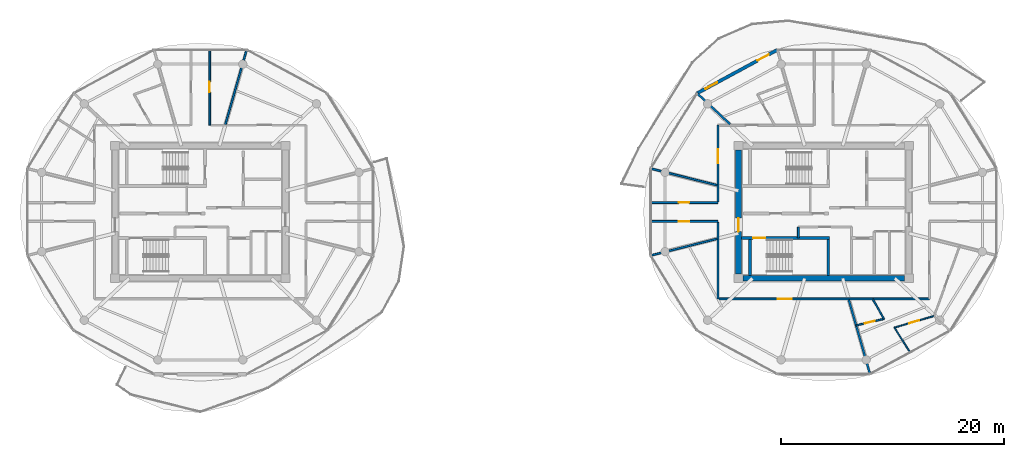
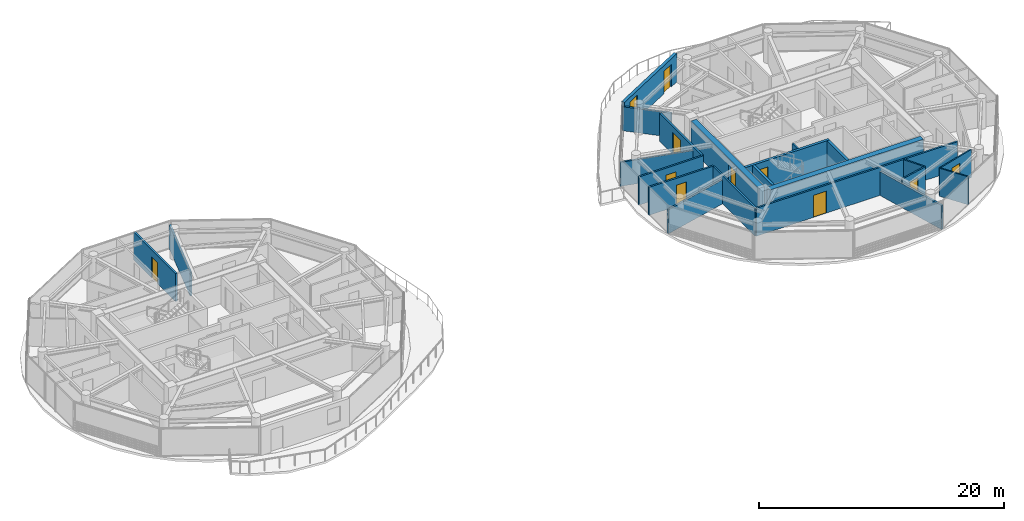
# One storey, part 11 of 19: 22 walls, 10 doors, 1 window, 11 openings.
"""IFC4 building model written with IfcOpenShell, lengths in metres."""

from ifc_helpers import new_model, si_unit, direction, frame, frame_2d, origin, place, context, subcontext, project, spatial, rectangle, extrude, source, transform, mapped, material, layer, layer_set, type_object, type_shapes, element, fill, save


model = new_model("IFC4")

# Units and contexts
model_context = context("Model", 3, precision=1e-05, world=origin(), true_north=direction((0.0, 1.0)))
body_context = subcontext(model_context, "Body", "Model", "MODEL_VIEW")
ifc_project = project(units=[si_unit("LENGTHUNIT", "METRE"), si_unit("AREAUNIT", "SQUARE_METRE"), si_unit("VOLUMEUNIT", "CUBIC_METRE"), si_unit("PLANEANGLEUNIT", "RADIAN"), si_unit("MASSUNIT", "GRAM", prefix="KILO")], contexts=[model_context])

# Site, building, storey
site_placement = place(None, origin())
site = spatial("IfcSite", under=ifc_project, at=site_placement, CompositionType="ELEMENT")
building_placement = place(site_placement, origin())
building = spatial("IfcBuilding", under=site, at=building_placement, Name="Norrkilde Senior Care Towers", CompositionType="ELEMENT")
storey_placement = place(building_placement, frame((0.0, 0.0, 238.300048828125)))
storey = spatial("IfcBuildingStorey", under=building, at=storey_placement, Name="L74", CompositionType="ELEMENT", Elevation=238.300048828125)

# Wall
ifc_material_1 = material(Name="Concrete C50/60", Category="concrete")
ifc_layer_1 = layer(ifc_material_1, 0.52001953125)
ifc_layer_set_1 = layer_set([ifc_layer_1], Name="Concrete C50/60")
wall_type_1 = type_object("IfcWallType", Name="Core Shear Wall Z4 520", PredefinedType="SHEAR", material=ifc_layer_set_1)
shared_shape_1 = source(origin(), body_context, "Body", "SweptSolid", [
    extrude(rectangle(XDim=14.5, YDim=0.52001953125, at=frame_2d((7.25, 0.0))), origin(), (0.0, 0.0, 1.0), 2.81005859375),
])
wall_1_placement = place(storey_placement, frame((35.25, -5.949951171875, 0.0), z_axis=(0.0, 0.0, 1.0), x_axis=(-1.0, 0.0, 0.0)))
element("IfcWall", 1, at=wall_1_placement, inside=storey, type_object=wall_type_1, Name="L74 Core E South Shear Wall", PredefinedType="SHEAR", context=body_context, shape_type="MappedRepresentation", body=[
    mapped(shared_shape_1, transform((0.0, 0.0, 0.0), x_axis=(1.0, 0.0, 0.0), y_axis=(0.0, 1.0, 0.0), z_axis=(0.0, 0.0, 1.0), scale=1.0)),
])

# Wall, opening, door
shared_shape_2 = source(origin(), body_context, "Body", "SweptSolid", [
    extrude(rectangle(XDim=11.10009765625, YDim=0.52001953125, at=frame_2d((5.550048828125, 0.0))), origin(), (0.0, 0.0, 1.0), 2.81005859375),
])
type_shapes(wall_type_1, [shared_shape_1, shared_shape_2])
wall_2_placement = place(storey_placement, frame((20.35009765625, -5.550048828125, 0.0), z_axis=(0.0, 0.0, 1.0), x_axis=(0.0, 1.0, 0.0)))
wall_2 = element("IfcWall", 2, at=wall_2_placement, inside=storey, type_object=wall_type_1, Name="L74 Core E West Shear Wall", PredefinedType="SHEAR", context=body_context, shape_type="MappedRepresentation", body=[
    mapped(shared_shape_2, transform((0.0, 0.0, 0.0), x_axis=(1.0, 0.0, 0.0), y_axis=(0.0, 1.0, 0.0), z_axis=(0.0, 0.0, 1.0), scale=1.0)),
])
opening_1_placement = place(wall_2_placement, frame((3.800048828125, 0.0, 0.0)))
opening_1 = element("IfcOpeningElement", 3, at=opening_1_placement, cuts=wall_2, Name="Opening D-04", PredefinedType="OPENING", context=body_context, shape_type="SweptSolid", body=[
    extrude(rectangle(XDim=1.199951171875, YDim=2.14990234375, at=frame_2d((0.60009765625, 1.074951171875))), frame((0.0, 0.27001953125, 0.0), z_axis=(0.0, -1.0, 0.0), x_axis=(1.0, 0.0, 0.0)), (0.0, 0.0, 1.0), 0.5400390625),
])
ifc_material_2 = material(Name="Galvanised Painted Steel", Category="steel")
door_type_1 = type_object("IfcDoorType", Name="Firefighting Lobby Fire Door 1200x2150", OperationType="NOTDEFINED", PredefinedType="DOOR", material=ifc_material_2)
shared_shape_3 = source(origin(), body_context, "Body", "SweptSolid", [
    extrude(rectangle(XDim=1.199951171875, YDim=2.14990234375, at=frame_2d((0.60009765625, 1.074951171875))), frame((0.0, 0.02490234375, 0.0), z_axis=(0.0, -1.0, 0.0), x_axis=(1.0, 0.0, 0.0)), (0.0, 0.0, 1.0), 0.050048828125),
])
type_shapes(door_type_1, [shared_shape_3])
door_1_placement = place(opening_1_placement, frame((1.199951171875, 0.0, 0.0), z_axis=(0.0, 0.0, 1.0), x_axis=(-1.0, 0.0, 0.0)))
door_1 = element("IfcDoor", 4, at=door_1_placement, inside=storey, type_object=door_type_1, Name="L74 Core E West Portal Door", OperationType="SINGLE_SWING_LEFT", OverallHeight=2.14990234375, OverallWidth=1.199951171875, PredefinedType="DOOR", context=body_context, shape_type="MappedRepresentation", body=[
    mapped(shared_shape_3, transform((0.0, 0.0, 0.0), x_axis=(1.0, 0.0, 0.0), y_axis=(0.0, 1.0, 0.0), z_axis=(0.0, 0.0, 1.0), scale=1.0)),
])
fill(opening_1, door_1)

# Wall, openings, door, window
ifc_material_3 = material(Name="Precast concrete C45/55", Category="concrete")
ifc_layer_2 = layer(ifc_material_3, 0.2900390625)
ifc_layer_set_2 = layer_set([ifc_layer_2], Name="Precast concrete C45/55")
wall_type_2 = type_object("IfcWallType", Name="Winter Garden Facade Wall 290", PredefinedType="SOLIDWALL", material=ifc_layer_set_2)
shared_shape_4 = source(origin(), body_context, "Body", "SweptSolid", [
    extrude(rectangle(XDim=8.197265625, YDim=0.2900390625, at=frame_2d((4.0986328125, 0.0))), origin(), (0.0, 0.0, 1.0), 2.81005859375),
])
type_shapes(wall_type_2, [shared_shape_4])
wall_3_placement = place(storey_placement, frame((16.629638671875, 10.6630859375, 0.0), z_axis=(0.0, 0.0, 1.0), x_axis=(0.879369910001, 0.476139224791, 0.0)))
wall_3 = element("IfcWall", 5, at=wall_3_placement, inside=storey, type_object=wall_type_2, Name="L74 Drum E Balcony Access Wall 03", PredefinedType="SOLIDWALL", context=body_context, shape_type="MappedRepresentation", body=[
    mapped(shared_shape_4, transform((0.0, 0.0, 0.0), x_axis=(1.0, 0.0, 0.0), y_axis=(0.0, 1.0, 0.0), z_axis=(0.0, 0.0, 1.0), scale=1.0)),
])
opening_2_placement = place(wall_3_placement, frame((6.179931640625, 0.0, 0.0)))
opening_2 = element("IfcOpeningElement", 6, at=opening_2_placement, cuts=wall_3, Name="Opening D-09", PredefinedType="OPENING", context=body_context, shape_type="SweptSolid", body=[
    extrude(rectangle(XDim=1.14990234375, YDim=2.25, at=frame_2d((0.574951171875, 1.125))), frame((0.0, 0.155029296875, 0.0), z_axis=(0.0, -1.0, 0.0), x_axis=(1.0, 0.0, 0.0)), (0.0, 0.0, 1.0), 0.31005859375),
])
opening_3_placement = place(wall_3_placement, frame((0.85009765625, 0.0, 0.85009765625)))
opening_3 = element("IfcOpeningElement", 7, at=opening_3_placement, cuts=wall_3, Name="Opening WN-07", PredefinedType="OPENING", context=body_context, shape_type="SweptSolid", body=[
    extrude(rectangle(XDim=1.199951171875, YDim=1.5, at=frame_2d((0.60009765625, 0.75))), frame((0.0, 0.155029296875, 0.0), z_axis=(0.0, -1.0, 0.0), x_axis=(1.0, 0.0, 0.0)), (0.0, 0.0, 1.0), 0.31005859375),
])
ifc_material_4 = material(Name="Anodised Aluminium", Category="aluminium")
door_type_2 = type_object("IfcDoorType", Name="Terrace and Balcony Glazed Door 1150x2250", OperationType="NOTDEFINED", PredefinedType="DOOR", material=ifc_material_4)
shared_shape_5 = source(origin(), body_context, "Body", "SweptSolid", [
    extrude(rectangle(XDim=1.14990234375, YDim=2.25, at=frame_2d((0.574951171875, 1.125))), frame((0.0, 0.02490234375, 0.0), z_axis=(0.0, -1.0, 0.0), x_axis=(1.0, 0.0, 0.0)), (0.0, 0.0, 1.0), 0.050048828125),
])
type_shapes(door_type_2, [shared_shape_5])
door_2_placement = place(opening_2_placement, origin())
door_2 = element("IfcDoor", 8, at=door_2_placement, inside=storey, type_object=door_type_2, Name="L74 Drum E Outdoor Terrace Door 03", OperationType="SINGLE_SWING_RIGHT", OverallHeight=2.25, OverallWidth=1.14990234375, PredefinedType="DOOR", context=body_context, shape_type="MappedRepresentation", body=[
    mapped(shared_shape_5, transform((0.0, 0.0, 0.0), x_axis=(1.0, 0.0, 0.0), y_axis=(0.0, 1.0, 0.0), z_axis=(0.0, 0.0, 1.0), scale=1.0)),
])
fill(opening_2, door_2)
ifc_material_5 = material(Name="Triple Low-E Insulated Glazing", Category="glass")
window_type = type_object("IfcWindowType", Name="Stairwell Smoke Vent Window 1200x1500", PartitioningType="SINGLE_PANEL", PredefinedType="WINDOW", material=ifc_material_5)
shared_shape_6 = source(origin(), body_context, "Body", "SweptSolid", [
    extrude(rectangle(XDim=1.199951171875, YDim=1.5, at=frame_2d((0.60009765625, 0.75))), frame((0.0, 0.030029296875, 0.0), z_axis=(0.0, -1.0, 0.0), x_axis=(1.0, 0.0, 0.0)), (0.0, 0.0, 1.0), 0.06005859375),
])
type_shapes(window_type, [shared_shape_6])
window_placement = place(opening_3_placement, origin())
window = element("IfcWindow", 9, at=window_placement, inside=storey, type_object=window_type, Name="L74 Drum E Winter Garden Window 03", OverallHeight=1.5, OverallWidth=1.199951171875, PartitioningType="SINGLE_PANEL", PredefinedType="WINDOW", context=body_context, shape_type="MappedRepresentation", body=[
    mapped(shared_shape_6, transform((0.0, 0.0, 0.0), x_axis=(1.0, 0.0, 0.0), y_axis=(0.0, 1.0, 0.0), z_axis=(0.0, 0.0, 1.0), scale=1.0)),
])
fill(opening_3, window)

# Wall
ifc_material_6 = material(Name="Gypsum Acoustic Board")
ifc_layer_3 = layer(ifc_material_6, 0.1650390625)
ifc_layer_set_3 = layer_set([ifc_layer_3], Name="Gypsum Acoustic Board")
wall_type_3 = type_object("IfcWallType", Name="Corridor Rated Partition 165", PredefinedType="PARTITIONING", material=ifc_layer_set_3)
shared_shape_7 = source(origin(), body_context, "Body", "SweptSolid", [
    extrude(rectangle(XDim=0.97998046875, YDim=0.1650390625, at=frame_2d((0.489990234375, 0.0))), origin(), (0.0, 0.0, 1.0), 2.794921875),
])
wall_4_placement = place(storey_placement, frame((25.72998046875, -2.330078125, 0.0), z_axis=(0.0, 0.0, 1.0), x_axis=(0.0, 1.0, 0.0)))
element("IfcWall", 10, at=wall_4_placement, inside=storey, type_object=wall_type_3, Name="WL-INT-L74-E-FR2W", PredefinedType="PARTITIONING", context=body_context, shape_type="MappedRepresentation", body=[
    mapped(shared_shape_7, transform((0.0, 0.0, 0.0), x_axis=(1.0, 0.0, 0.0), y_axis=(0.0, 1.0, 0.0), z_axis=(0.0, 0.0, 1.0), scale=1.0)),
])

# Wall, opening, door
shared_shape_8 = source(origin(), body_context, "Body", "SweptSolid", [
    extrude(rectangle(XDim=19.0, YDim=0.1650390625, at=frame_2d((9.5, 0.0))), origin(), (0.0, 0.0, 1.0), 2.794921875),
])
wall_5_placement = place(storey_placement, frame((37.5, -7.800048828125, 0.0), z_axis=(0.0, 0.0, 1.0), x_axis=(-1.0, 0.0, 0.0)))
wall_5 = element("IfcWall", 11, at=wall_5_placement, inside=storey, type_object=wall_type_3, Name="WL-INT-L74-E-CRW-S-0", PredefinedType="PARTITIONING", context=body_context, shape_type="MappedRepresentation", body=[
    mapped(shared_shape_8, transform((0.0, 0.0, 0.0), x_axis=(1.0, 0.0, 0.0), y_axis=(0.0, 1.0, 0.0), z_axis=(0.0, 0.0, 1.0), scale=1.0)),
])
opening_4_placement = place(wall_5_placement, frame((12.373291015625, 0.0, 0.0)))
opening_4 = element("IfcOpeningElement", 12, at=opening_4_placement, cuts=wall_5, Name="Opening D-05", PredefinedType="OPENING", context=body_context, shape_type="SweptSolid", body=[
    extrude(rectangle(XDim=1.25, YDim=2.199951171875, at=frame_2d((0.625, 1.10009765625))), frame((0.0, 0.092529296875, 0.0), z_axis=(0.0, -1.0, 0.0), x_axis=(1.0, 0.0, 0.0)), (0.0, 0.0, 1.0), 0.18505859375),
])
ifc_material_7 = material(Name="Nordic Ash Timber", Category="wood")
door_type_3 = type_object("IfcDoorType", Name="Care Bedroom Bariatric Door 1250x2200", OperationType="NOTDEFINED", PredefinedType="DOOR", material=ifc_material_7)
shared_shape_9 = source(origin(), body_context, "Body", "SweptSolid", [
    extrude(rectangle(XDim=1.25, YDim=2.199951171875, at=frame_2d((0.625, 1.10009765625))), frame((0.0, 0.02490234375, 0.0), z_axis=(0.0, -1.0, 0.0), x_axis=(1.0, 0.0, 0.0)), (0.0, 0.0, 1.0), 0.050048828125),
])
type_shapes(door_type_3, [shared_shape_9])
door_3_placement = place(opening_4_placement, frame((1.25, 0.0, 0.0), z_axis=(0.0, 0.0, 1.0), x_axis=(-1.0, 0.0, 0.0)))
door_3 = element("IfcDoor", 13, at=door_3_placement, inside=storey, type_object=door_type_3, Name="L74 Senior Wellness Library Lounge Door", OperationType="SINGLE_SWING_LEFT", OverallHeight=2.199951171875, OverallWidth=1.25, PredefinedType="DOOR", context=body_context, shape_type="MappedRepresentation", body=[
    mapped(shared_shape_9, transform((0.0, 0.0, 0.0), x_axis=(1.0, 0.0, 0.0), y_axis=(0.0, 1.0, 0.0), z_axis=(0.0, 0.0, 1.0), scale=1.0)),
])
fill(opening_4, door_3)

# Wall
shared_shape_10 = source(origin(), body_context, "Body", "SweptSolid", [
    extrude(rectangle(XDim=6.880126953125, YDim=0.1650390625, at=frame_2d((3.43994140625, 0.0))), origin(), (0.0, 0.0, 1.0), 2.794921875),
])
wall_6_placement = place(storey_placement, frame((18.5, -7.800048828125, 0.0), z_axis=(0.0, 0.0, 1.0), x_axis=(0.0, 1.0, 0.0)))
element("IfcWall", 14, at=wall_6_placement, inside=storey, type_object=wall_type_3, Name="WL-INT-L74-E-CRW-W-0", PredefinedType="PARTITIONING", context=body_context, shape_type="MappedRepresentation", body=[
    mapped(shared_shape_10, transform((0.0, 0.0, 0.0), x_axis=(1.0, 0.0, 0.0), y_axis=(0.0, 1.0, 0.0), z_axis=(0.0, 0.0, 1.0), scale=1.0)),
])

# Wall, opening, door
wall_7_placement = place(storey_placement, frame((18.5, 0.919921875, 0.0), z_axis=(0.0, 0.0, 1.0), x_axis=(0.0, 1.0, 0.0)))
wall_7 = element("IfcWall", 15, at=wall_7_placement, inside=storey, type_object=wall_type_3, Name="WL-INT-L74-E-CRW-W-1", PredefinedType="PARTITIONING", context=body_context, shape_type="MappedRepresentation", body=[
    mapped(shared_shape_10, transform((0.0, 0.0, 0.0), x_axis=(1.0, 0.0, 0.0), y_axis=(0.0, 1.0, 0.0), z_axis=(0.0, 0.0, 1.0), scale=1.0)),
])
opening_5_placement = place(wall_7_placement, frame((3.46435546875, 0.0, 0.0)))
opening_5 = element("IfcOpeningElement", 16, at=opening_5_placement, cuts=wall_7, Name="Opening D-05", PredefinedType="OPENING", context=body_context, shape_type="SweptSolid", body=[
    extrude(rectangle(XDim=1.25, YDim=2.199951171875, at=frame_2d((0.625, 1.10009765625))), frame((0.0, 0.092529296875, 0.0), z_axis=(0.0, -1.0, 0.0), x_axis=(1.0, 0.0, 0.0)), (0.0, 0.0, 1.0), 0.18505859375),
])
door_4_placement = place(opening_5_placement, frame((1.25, 0.0, 0.0), z_axis=(0.0, 0.0, 1.0), x_axis=(-1.0, 0.0, 0.0)))
door_4 = element("IfcDoor", 17, at=door_4_placement, inside=storey, type_object=door_type_3, Name="L74 Care Coordination Charting Office Door", OperationType="SINGLE_SWING_LEFT", OverallHeight=2.199951171875, OverallWidth=1.25, PredefinedType="DOOR", context=body_context, shape_type="MappedRepresentation", body=[
    mapped(shared_shape_9, transform((0.0, 0.0, 0.0), x_axis=(1.0, 0.0, 0.0), y_axis=(0.0, 1.0, 0.0), z_axis=(0.0, 0.0, 1.0), scale=1.0)),
])
fill(opening_5, door_4)

ifc_material_8 = material(Name="Concrete C45/55", Category="concrete")
ifc_layer_4 = layer(ifc_material_8, 0.239990234375)
ifc_layer_set_4 = layer_set([ifc_layer_4], Name="Concrete C45/55")
wall_type_4 = type_object("IfcWallType", Name="Shaft and Stair Enclosure Wall 240", PredefinedType="PARTITIONING", material=ifc_layer_set_4)
shared_shape_11 = source(origin(), body_context, "Body", "SweptSolid", [
    extrude(rectangle(XDim=7.929931640625, YDim=0.239990234375, at=frame_2d((3.96484375, 0.0))), origin(), (0.0, 0.0, 1.0), 2.81005859375),
])
wall_8_placement = place(storey_placement, frame((20.610107421875, -2.330078125, 0.0), z_axis=(0.0, 0.0, 1.0), x_axis=(1.0, 0.0, 0.0)))
wall_8 = element("IfcWall", 18, at=wall_8_placement, inside=storey, type_object=wall_type_4, Name="WL-INT-L74-E-ST2N", PredefinedType="PARTITIONING", context=body_context, shape_type="MappedRepresentation", body=[
    mapped(shared_shape_11, transform((0.0, 0.0, 0.0), x_axis=(1.0, 0.0, 0.0), y_axis=(0.0, 1.0, 0.0), z_axis=(0.0, 0.0, 1.0), scale=1.0)),
])
opening_6_placement = place(wall_8_placement, frame((1.050048828125, 0.0, 0.0)))
opening_6 = element("IfcOpeningElement", 19, at=opening_6_placement, cuts=wall_8, Name="Opening D-03", PredefinedType="OPENING", context=body_context, shape_type="SweptSolid", body=[
    extrude(rectangle(XDim=1.10009765625, YDim=2.14990234375, at=frame_2d((0.550048828125, 1.074951171875))), frame((0.0, 0.1298828125, 0.0), z_axis=(0.0, -1.0, 0.0), x_axis=(1.0, 0.0, 0.0)), (0.0, 0.0, 1.0), 0.260009765625),
])
door_type_4 = type_object("IfcDoorType", Name="Stairwell Protected Fire Door 1100x2150", OperationType="NOTDEFINED", PredefinedType="DOOR", material=ifc_material_2)
shared_shape_12 = source(origin(), body_context, "Body", "SweptSolid", [
    extrude(rectangle(XDim=1.10009765625, YDim=2.14990234375, at=frame_2d((0.550048828125, 1.074951171875))), frame((0.0, 0.02490234375, 0.0), z_axis=(0.0, -1.0, 0.0), x_axis=(1.0, 0.0, 0.0)), (0.0, 0.0, 1.0), 0.050048828125),
])
type_shapes(door_type_4, [shared_shape_12])
door_5_placement = place(opening_6_placement, frame((1.10009765625, 0.0, 0.0), z_axis=(0.0, 0.0, 1.0), x_axis=(-1.0, 0.0, 0.0)))
door_5 = element("IfcDoor", 20, at=door_5_placement, inside=storey, type_object=door_type_4, Name="L74 Stair E2 Fire Door", OperationType="SINGLE_SWING_RIGHT", OverallHeight=2.14990234375, OverallWidth=1.10009765625, PredefinedType="DOOR", context=body_context, shape_type="MappedRepresentation", body=[
    mapped(shared_shape_12, transform((0.0, 0.0, 0.0), x_axis=(1.0, 0.0, 0.0), y_axis=(0.0, 1.0, 0.0), z_axis=(0.0, 0.0, 1.0), scale=1.0)),
])
fill(opening_6, door_5)

# Walls
shared_shape_13 = source(origin(), body_context, "Body", "SweptSolid", [
    extrude(rectangle(XDim=3.239990234375, YDim=0.239990234375, at=frame_2d((1.6201171875, 0.0))), origin(), (0.0, 0.0, 1.0), 2.81005859375),
])
type_shapes(wall_type_4, [shared_shape_11, shared_shape_13])
for number, where, z_axis, x_axis, name in (
    (21, (21.3798828125, -5.68994140625, 0.0), (0.0, 0.0, 1.0), (0.0, 1.0, 0.0), "WL-INT-L74-E-ST2W"),
    (22, (28.419921875, -5.68994140625, 0.0), (0.0, 0.0, 1.0), (0.0, 1.0, 0.0), "WL-INT-L74-E-ST2E"),
):
    element("IfcWall", number, at=place(storey_placement, frame(where, z_axis=z_axis, x_axis=x_axis)), inside=storey, type_object=wall_type_4, Name=name, PredefinedType="PARTITIONING", context=body_context, shape_type="MappedRepresentation", body=[
        mapped(shared_shape_13, transform((0.0, 0.0, 0.0), x_axis=(1.0, 0.0, 0.0), y_axis=(0.0, 1.0, 0.0), z_axis=(0.0, 0.0, 1.0), scale=1.0)),
    ])
shared_shape_14 = source(origin(), body_context, "Body", "SweptSolid", [
    extrude(rectangle(XDim=6.973876953125, YDim=0.1650390625, at=frame_2d((3.48681640625, 0.0))), origin(), (0.0, 0.0, 1.0), 2.39501953125),
])
wall_9_placement = place(storey_placement, frame((-25.748779296875, 7.8798828125, 0.0), z_axis=(0.0, 0.0, 1.0), x_axis=(0.274707256801, 0.961527910703, 0.0)))
element("IfcWall", 23, at=wall_9_placement, inside=storey, type_object=wall_type_3, Name="WL-INT-L74-W-DEM-02-0", PredefinedType="PARTITIONING", context=body_context, shape_type="MappedRepresentation", body=[
    mapped(shared_shape_14, transform((0.0, 0.0, 0.0), x_axis=(1.0, 0.0, 0.0), y_axis=(0.0, 1.0, 0.0), z_axis=(0.0, 0.0, 1.0), scale=1.0)),
])
shared_shape_15 = source(origin(), body_context, "Body", "SweptSolid", [
    extrude(rectangle(XDim=6.1572265625, YDim=0.1650390625, at=frame_2d((3.07861328125, 0.0))), origin(), (0.0, 0.0, 1.0), 2.39501953125),
])
for number, where, z_axis, x_axis, name in (
    (24, (18.419921875, 2.407470703125, 0.0), (0.0, 0.0, 1.0), (-0.969840867184, 0.243738984038, 0.0), "WL-INT-L74-E-DEM-05-0"),
    (25, (18.419921875, -2.407470703125, 0.0), (0.0, 0.0, 1.0), (-0.969840867184, -0.243738984038, 0.0), "WL-INT-L74-E-DEM-06-0"),
):
    element("IfcWall", number, at=place(storey_placement, frame(where, z_axis=z_axis, x_axis=x_axis)), inside=storey, type_object=wall_type_3, Name=name, PredefinedType="PARTITIONING", context=body_context, shape_type="MappedRepresentation", body=[
        mapped(shared_shape_15, transform((0.0, 0.0, 0.0), x_axis=(1.0, 0.0, 0.0), y_axis=(0.0, 1.0, 0.0), z_axis=(0.0, 0.0, 1.0), scale=1.0)),
    ])
ifc_layer_5 = layer(ifc_material_6, 0.18994140625)
ifc_layer_set_5 = layer_set([ifc_layer_5], Name="Gypsum Acoustic Board")
wall_type_5 = type_object("IfcWallType", Name="Unit Demising Acoustic Wall 190", PredefinedType="PARTITIONING", material=ifc_layer_set_5)
shared_shape_16 = source(origin(), body_context, "Body", "SweptSolid", [
    extrude(rectangle(XDim=4.089111328125, YDim=0.18994140625, at=frame_2d((2.04443359375, 0.0))), origin(), (0.0, 0.0, 1.0), 2.39501953125),
])
wall_10_placement = place(storey_placement, frame((19.59814453125, 7.8798828125, 0.0), z_axis=(0.0, 0.0, 1.0), x_axis=(-0.729401273609, 0.684086092577, 0.0)))
element("IfcWall", 26, at=wall_10_placement, inside=storey, type_object=wall_type_5, Name="WL-INT-L74-E-DEM-04-0", PredefinedType="PARTITIONING", context=body_context, shape_type="MappedRepresentation", body=[
    mapped(shared_shape_16, transform((0.0, 0.0, 0.0), x_axis=(1.0, 0.0, 0.0), y_axis=(0.0, 1.0, 0.0), z_axis=(0.0, 0.0, 1.0), scale=1.0)),
])
shared_shape_17 = source(origin(), body_context, "Body", "SweptSolid", [
    extrude(rectangle(XDim=6.973876953125, YDim=0.18994140625, at=frame_2d((3.48681640625, 0.0))), origin(), (0.0, 0.0, 1.0), 2.39501953125),
])
type_shapes(wall_type_5, [shared_shape_16, shared_shape_17])
wall_11_placement = place(storey_placement, frame((30.251220703125, -7.8798828125, 0.0), z_axis=(0.0, 0.0, 1.0), x_axis=(0.274707256801, -0.961527910703, 0.0)))
element("IfcWall", 27, at=wall_11_placement, inside=storey, type_object=wall_type_5, Name="WL-INT-L74-E-DEM-09-0", PredefinedType="PARTITIONING", context=body_context, shape_type="MappedRepresentation", body=[
    mapped(shared_shape_17, transform((0.0, 0.0, 0.0), x_axis=(1.0, 0.0, 0.0), y_axis=(0.0, 1.0, 0.0), z_axis=(0.0, 0.0, 1.0), scale=1.0)),
])

# Wall, opening, door
shared_shape_18 = source(origin(), body_context, "Body", "SweptSolid", [
    extrude(rectangle(XDim=6.83544921875, YDim=0.1650390625, at=frame_2d((3.417724609375, 0.0))), origin(), (0.0, 0.0, 1.0), 2.794921875),
])
wall_12_placement = place(storey_placement, frame((-27.159912109375, 14.635498046875, 0.0), z_axis=(0.0, 0.0, 1.0), x_axis=(0.0, -1.0, 0.0)))
wall_12 = element("IfcWall", 28, at=wall_12_placement, inside=storey, type_object=wall_type_3, Name="WL-INT-L74-W-SPK-N2-0", PredefinedType="PARTITIONING", context=body_context, shape_type="MappedRepresentation", body=[
    mapped(shared_shape_18, transform((0.0, 0.0, 0.0), x_axis=(1.0, 0.0, 0.0), y_axis=(0.0, 1.0, 0.0), z_axis=(0.0, 0.0, 1.0), scale=1.0)),
])
opening_7_placement = place(wall_12_placement, frame((2.942626953125, 0.0, 0.0)))
opening_7 = element("IfcOpeningElement", 29, at=opening_7_placement, cuts=wall_12, Name="Opening D-07", PredefinedType="OPENING", context=body_context, shape_type="SweptSolid", body=[
    extrude(rectangle(XDim=0.949951171875, YDim=2.10009765625, at=frame_2d((0.47509765625, 1.050048828125))), frame((0.0, 0.092529296875, 0.0), z_axis=(0.0, -1.0, 0.0), x_axis=(1.0, 0.0, 0.0)), (0.0, 0.0, 1.0), 0.18505859375),
])
door_type_5 = type_object("IfcDoorType", Name="Internal Suite Bedroom Door 950x2100", OperationType="NOTDEFINED", PredefinedType="DOOR", material=ifc_material_7)
shared_shape_19 = source(origin(), body_context, "Body", "SweptSolid", [
    extrude(rectangle(XDim=0.949951171875, YDim=2.10009765625, at=frame_2d((0.47509765625, 1.050048828125))), frame((0.0, 0.02490234375, 0.0), z_axis=(0.0, -1.0, 0.0), x_axis=(1.0, 0.0, 0.0)), (0.0, 0.0, 1.0), 0.050048828125),
])
type_shapes(door_type_5, [shared_shape_19])
door_6_placement = place(opening_7_placement, frame((0.949951171875, 0.0, 0.0), z_axis=(0.0, 0.0, 1.0), x_axis=(-1.0, 0.0, 0.0)))
door_6 = element("IfcDoor", 30, at=door_6_placement, inside=storey, type_object=door_type_5, Name="L74 Sun Reading Lounge 4 Door", OperationType="SINGLE_SWING_LEFT", OverallHeight=2.10009765625, OverallWidth=0.949951171875, PredefinedType="DOOR", context=body_context, shape_type="MappedRepresentation", body=[
    mapped(shared_shape_19, transform((0.0, 0.0, 0.0), x_axis=(1.0, 0.0, 0.0), y_axis=(0.0, 1.0, 0.0), z_axis=(0.0, 0.0, 1.0), scale=1.0)),
])
fill(opening_7, door_6)

shared_shape_20 = source(origin(), body_context, "Body", "SweptSolid", [
    extrude(rectangle(XDim=6.101318359375, YDim=0.1650390625, at=frame_2d((3.05078125, 0.0))), origin(), (0.0, 0.0, 1.0), 2.794921875),
])
type_shapes(wall_type_3, [shared_shape_7, shared_shape_8, shared_shape_10, shared_shape_14, shared_shape_15, shared_shape_18, shared_shape_20])
wall_13_placement = place(storey_placement, frame((12.398681640625, 0.840087890625, 0.0), z_axis=(0.0, 0.0, 1.0), x_axis=(1.0, 0.0, 0.0)))
wall_13 = element("IfcWall", 31, at=wall_13_placement, inside=storey, type_object=wall_type_3, Name="WL-INT-L74-E-SPK-W1-0", PredefinedType="PARTITIONING", context=body_context, shape_type="MappedRepresentation", body=[
    mapped(shared_shape_20, transform((0.0, 0.0, 0.0), x_axis=(1.0, 0.0, 0.0), y_axis=(0.0, 1.0, 0.0), z_axis=(0.0, 0.0, 1.0), scale=1.0)),
])
opening_8_placement = place(wall_13_placement, frame((2.57568359375, 0.0, 0.0)))
opening_8 = element("IfcOpeningElement", 32, at=opening_8_placement, cuts=wall_13, Name="Opening D-07", PredefinedType="OPENING", context=body_context, shape_type="SweptSolid", body=[
    extrude(rectangle(XDim=0.949951171875, YDim=2.10009765625, at=frame_2d((0.47509765625, 1.050048828125))), frame((0.0, 0.092529296875, 0.0), z_axis=(0.0, -1.0, 0.0), x_axis=(1.0, 0.0, 0.0)), (0.0, 0.0, 1.0), 0.18505859375),
])
door_7_placement = place(opening_8_placement, frame((0.949951171875, 0.0, 0.0), z_axis=(0.0, 0.0, 1.0), x_axis=(-1.0, 0.0, 0.0)))
door_7 = element("IfcDoor", 33, at=door_7_placement, inside=storey, type_object=door_type_5, Name="L74 Sun Reading Lounge 2 Door", OperationType="SINGLE_SWING_LEFT", OverallHeight=2.10009765625, OverallWidth=0.949951171875, PredefinedType="DOOR", context=body_context, shape_type="MappedRepresentation", body=[
    mapped(shared_shape_19, transform((0.0, 0.0, 0.0), x_axis=(1.0, 0.0, 0.0), y_axis=(0.0, 1.0, 0.0), z_axis=(0.0, 0.0, 1.0), scale=1.0)),
])
fill(opening_8, door_7)

wall_14_placement = place(storey_placement, frame((18.5, -0.840087890625, 0.0), z_axis=(0.0, 0.0, 1.0), x_axis=(-1.0, 0.0, 0.0)))
wall_14 = element("IfcWall", 34, at=wall_14_placement, inside=storey, type_object=wall_type_3, Name="WL-INT-L74-E-SPK-W2-0", PredefinedType="PARTITIONING", context=body_context, shape_type="MappedRepresentation", body=[
    mapped(shared_shape_20, transform((0.0, 0.0, 0.0), x_axis=(1.0, 0.0, 0.0), y_axis=(0.0, 1.0, 0.0), z_axis=(0.0, 0.0, 1.0), scale=1.0)),
])
opening_9_placement = place(wall_14_placement, frame((2.57568359375, 0.0, 0.0)))
opening_9 = element("IfcOpeningElement", 35, at=opening_9_placement, cuts=wall_14, Name="Opening D-07", PredefinedType="OPENING", context=body_context, shape_type="SweptSolid", body=[
    extrude(rectangle(XDim=0.949951171875, YDim=2.10009765625, at=frame_2d((0.47509765625, 1.050048828125))), frame((0.0, 0.092529296875, 0.0), z_axis=(0.0, -1.0, 0.0), x_axis=(1.0, 0.0, 0.0)), (0.0, 0.0, 1.0), 0.18505859375),
])
door_8_placement = place(opening_9_placement, frame((0.949951171875, 0.0, 0.0), z_axis=(0.0, 0.0, 1.0), x_axis=(-1.0, 0.0, 0.0)))
door_8 = element("IfcDoor", 36, at=door_8_placement, inside=storey, type_object=door_type_5, Name="L74 Sun Reading Lounge 1 Door", OperationType="SINGLE_SWING_RIGHT", OverallHeight=2.10009765625, OverallWidth=0.949951171875, PredefinedType="DOOR", context=body_context, shape_type="MappedRepresentation", body=[
    mapped(shared_shape_19, transform((0.0, 0.0, 0.0), x_axis=(1.0, 0.0, 0.0), y_axis=(0.0, 1.0, 0.0), z_axis=(0.0, 0.0, 1.0), scale=1.0)),
])
fill(opening_9, door_8)

# Walls
ifc_layer_6 = layer(ifc_material_6, 0.139892578125)
ifc_layer_set_6 = layer_set([ifc_layer_6], Name="Gypsum Acoustic Board")
wall_type_6 = type_object("IfcWallType", Name="En-suite Wet Room Wall 140", PredefinedType="PARTITIONING", material=ifc_layer_set_6)
shared_shape_21 = source(origin(), body_context, "Body", "SweptSolid", [
    extrude(rectangle(XDim=2.035400390625, YDim=0.139892578125, at=frame_2d((1.017578125, 0.0))), origin(), (0.0, 0.0, 1.0), 2.794921875),
])
wall_15_placement = place(storey_placement, frame((32.4150390625, -7.830078125, 0.0), z_axis=(0.0, 0.0, 1.0), x_axis=(0.491092509169, -0.871107425888, 0.0)))
element("IfcWall", 37, at=wall_15_placement, inside=storey, type_object=wall_type_6, Name="WL-INT-L74-E-UBTS-09", PredefinedType="PARTITIONING", context=body_context, shape_type="MappedRepresentation", body=[
    mapped(shared_shape_21, transform((0.0, 0.0, 0.0), x_axis=(1.0, 0.0, 0.0), y_axis=(0.0, 1.0, 0.0), z_axis=(0.0, 0.0, 1.0), scale=1.0)),
])
ifc_layer_7 = layer(ifc_material_6, 0.114990234375)
ifc_layer_set_7 = layer_set([ifc_layer_7], Name="Gypsum Acoustic Board")
wall_type_7 = type_object("IfcWallType", Name="Internal Room Partition 115", PredefinedType="PARTITIONING", material=ifc_layer_set_7)
shared_shape_22 = source(origin(), body_context, "Body", "SweptSolid", [
    extrude(rectangle(XDim=2.66162109375, YDim=0.114990234375, at=frame_2d((1.330810546875, 0.0))), origin(), (0.0, 0.0, 1.0), 2.794921875),
])
wall_16_placement = place(storey_placement, frame((34.35546875, -10.380126953125, 0.0), z_axis=(0.0, 0.0, 1.0), x_axis=(0.533547747092, -0.845769946009, 0.0)))
element("IfcWall", 38, at=wall_16_placement, inside=storey, type_object=wall_type_7, Name="WL-INT-L74-E-UKTS-09", PredefinedType="PARTITIONING", context=body_context, shape_type="MappedRepresentation", body=[
    mapped(shared_shape_22, transform((0.0, 0.0, 0.0), x_axis=(1.0, 0.0, 0.0), y_axis=(0.0, 1.0, 0.0), z_axis=(0.0, 0.0, 1.0), scale=1.0)),
])

# Wall, opening, door
shared_shape_23 = source(origin(), body_context, "Body", "SweptSolid", [
    extrude(rectangle(XDim=3.70166015625, YDim=0.114990234375, at=frame_2d((1.850830078125, 0.0))), origin(), (0.0, 0.0, 1.0), 2.794921875),
])
type_shapes(wall_type_7, [shared_shape_22, shared_shape_23])
wall_17_placement = place(storey_placement, frame((34.35546875, -10.380126953125, 0.0), z_axis=(0.0, 0.0, 1.0), x_axis=(0.960044309887, 0.279848035645, 0.0)))
wall_17 = element("IfcWall", 39, at=wall_17_placement, inside=storey, type_object=wall_type_7, Name="WL-INT-L74-E-UKTF-09", PredefinedType="PARTITIONING", context=body_context, shape_type="MappedRepresentation", body=[
    mapped(shared_shape_23, transform((0.0, 0.0, 0.0), x_axis=(1.0, 0.0, 0.0), y_axis=(0.0, 1.0, 0.0), z_axis=(0.0, 0.0, 1.0), scale=1.0)),
])
opening_10_placement = place(wall_17_placement, frame((1.3759765625, 0.0, 0.0)))
opening_10 = element("IfcOpeningElement", 40, at=opening_10_placement, cuts=wall_17, Name="Opening D-07", PredefinedType="OPENING", context=body_context, shape_type="SweptSolid", body=[
    extrude(rectangle(XDim=0.949951171875, YDim=2.10009765625, at=frame_2d((0.47509765625, 1.050048828125))), frame((0.0, 0.0673828125, 0.0), z_axis=(0.0, -1.0, 0.0), x_axis=(1.0, 0.0, 0.0)), (0.0, 0.0, 1.0), 0.135009765625),
])
door_9_placement = place(opening_10_placement, frame((0.949951171875, 0.0, 0.0), z_axis=(0.0, 0.0, 1.0), x_axis=(-1.0, 0.0, 0.0)))
door_9 = element("IfcDoor", 41, at=door_9_placement, inside=storey, type_object=door_type_5, Name="Apartment 74E Kitchen Door", OperationType="SINGLE_SWING_RIGHT", OverallHeight=2.10009765625, OverallWidth=0.949951171875, PredefinedType="DOOR", context=body_context, shape_type="MappedRepresentation", body=[
    mapped(shared_shape_19, transform((0.0, 0.0, 0.0), x_axis=(1.0, 0.0, 0.0), y_axis=(0.0, 1.0, 0.0), z_axis=(0.0, 0.0, 1.0), scale=1.0)),
])
fill(opening_10, door_9)

shared_shape_24 = source(origin(), body_context, "Body", "SweptSolid", [
    extrude(rectangle(XDim=2.58642578125, YDim=0.139892578125, at=frame_2d((1.293212890625, 0.0))), origin(), (0.0, 0.0, 1.0), 2.794921875),
])
type_shapes(wall_type_6, [shared_shape_21, shared_shape_24])
wall_18_placement = place(storey_placement, frame((33.41455078125, -9.60302734375, 0.0), z_axis=(0.0, 0.0, 1.0), x_axis=(-0.973691298219, -0.227871138526, 0.0)))
wall_18 = element("IfcWall", 42, at=wall_18_placement, inside=storey, type_object=wall_type_6, Name="WL-INT-L74-E-UBTF-09", PredefinedType="PARTITIONING", context=body_context, shape_type="MappedRepresentation", body=[
    mapped(shared_shape_24, transform((0.0, 0.0, 0.0), x_axis=(1.0, 0.0, 0.0), y_axis=(0.0, 1.0, 0.0), z_axis=(0.0, 0.0, 1.0), scale=1.0)),
])
opening_11_placement = place(wall_18_placement, frame((0.833251953125, 0.0, 0.0)))
opening_11 = element("IfcOpeningElement", 43, at=opening_11_placement, cuts=wall_18, Name="Opening D-08", PredefinedType="OPENING", context=body_context, shape_type="SweptSolid", body=[
    extrude(rectangle(XDim=0.919921875, YDim=2.10009765625, at=frame_2d((0.4599609375, 1.050048828125))), frame((0.0, 0.079833984375, 0.0), z_axis=(0.0, -1.0, 0.0), x_axis=(1.0, 0.0, 0.0)), (0.0, 0.0, 1.0), 0.159912109375),
])
door_type_6 = type_object("IfcDoorType", Name="Accessible Wet Room Door 920x2100", OperationType="NOTDEFINED", PredefinedType="DOOR", material=ifc_material_7)
shared_shape_25 = source(origin(), body_context, "Body", "SweptSolid", [
    extrude(rectangle(XDim=0.919921875, YDim=2.10009765625, at=frame_2d((0.4599609375, 1.050048828125))), frame((0.0, 0.02490234375, 0.0), z_axis=(0.0, -1.0, 0.0), x_axis=(1.0, 0.0, 0.0)), (0.0, 0.0, 1.0), 0.050048828125),
])
type_shapes(door_type_6, [shared_shape_25])
door_10_placement = place(opening_11_placement, origin())
door_10 = element("IfcDoor", 44, at=door_10_placement, inside=storey, type_object=door_type_6, Name="Apartment 74E Bathroom Door", OperationType="SINGLE_SWING_LEFT", OverallHeight=2.10009765625, OverallWidth=0.919921875, PredefinedType="DOOR", context=body_context, shape_type="MappedRepresentation", body=[
    mapped(shared_shape_25, transform((0.0, 0.0, 0.0), x_axis=(1.0, 0.0, 0.0), y_axis=(0.0, 1.0, 0.0), z_axis=(0.0, 0.0, 1.0), scale=1.0)),
])
fill(opening_11, door_10)

save(model, "model.ifc")
